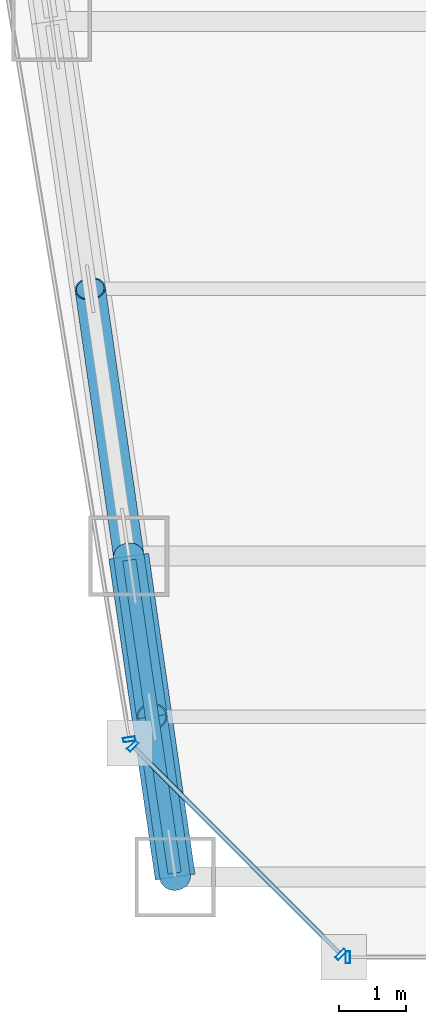
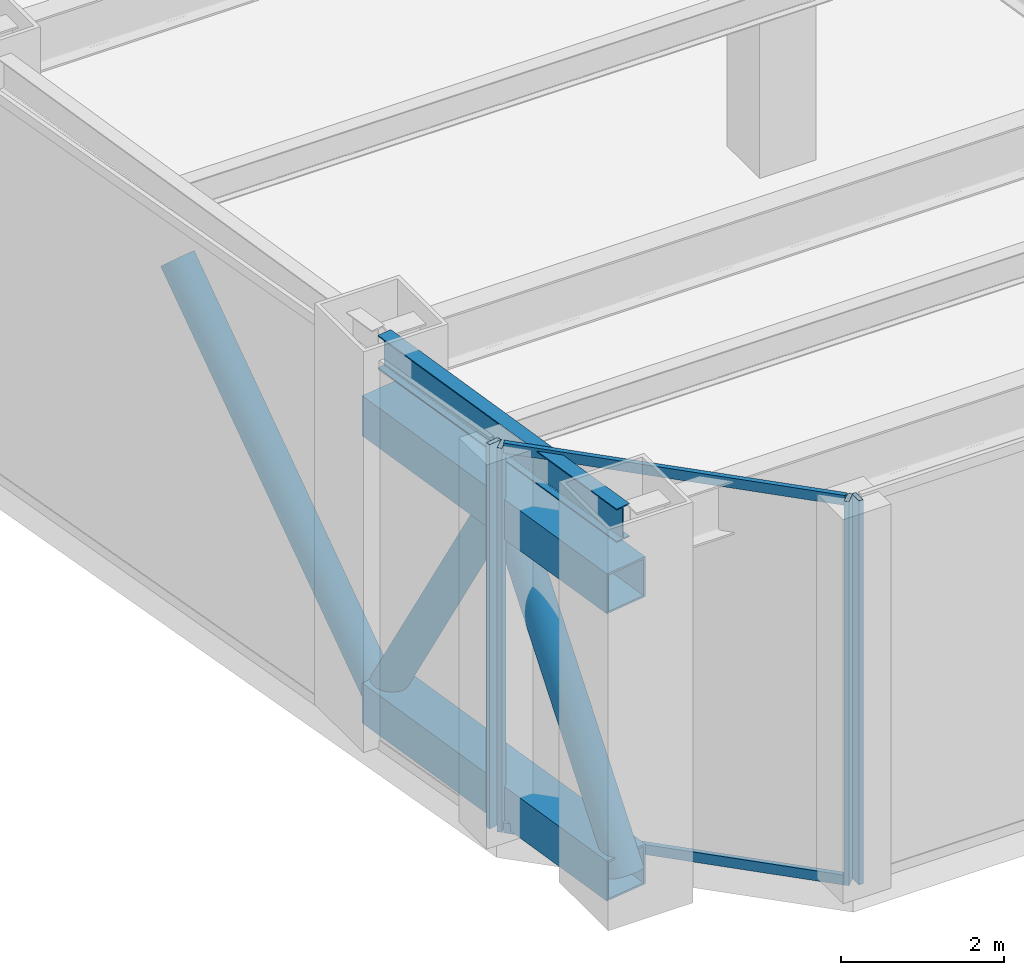
# One storey, part 4 of 35: 11 members, 1 beam, 3 elements without a shape of their own.
"""IFC4 building model written with IfcOpenShell, lengths in metres."""

from ifc_helpers import new_model, si_unit, direction, frame, origin, origin_2d, place, context, subcontext, project, spatial, hollow_rectangle, hollow_circle, i_section, extrude, material, material_profile, profile_set, type_object, element, aggregate, save


model = new_model("IFC4")

# Units and contexts
model_context = context("Model", 3, precision=1e-05, world=origin(), true_north=direction((0.0, 1.0)))
body_context = subcontext(model_context, "Body", "Model", "MODEL_VIEW")
ifc_project = project(units=[si_unit("LENGTHUNIT", "METRE"), si_unit("AREAUNIT", "SQUARE_METRE"), si_unit("VOLUMEUNIT", "CUBIC_METRE"), si_unit("PLANEANGLEUNIT", "RADIAN"), si_unit("MASSUNIT", "GRAM", prefix="KILO")], contexts=[model_context])

# Site, building, storey
site_placement = place(None, origin())
site = spatial("IfcSite", under=ifc_project, at=site_placement, CompositionType="ELEMENT")
building_placement = place(site_placement, origin())
building = spatial("IfcBuilding", under=site, at=building_placement, Name="Saevonmaru Cultural Tower", CompositionType="ELEMENT")
storey_placement = place(building_placement, frame((0.0, 0.0, 86.800048828125)))
storey = spatial("IfcBuildingStorey", under=building, at=storey_placement, Name="L18", CompositionType="ELEMENT", Elevation=86.800048828125)

# Beam
ifc_material_1 = material(Name="Steel SM355", Category="steel")
ifc_material_profile_1 = material_profile(ifc_material_1, i_section(OverallWidth=0.199951171875, OverallDepth=0.5, WebThickness=0.010009765625, FlangeThickness=0.01611328125, FilletRadius=0.02001953125, at=origin_2d()), Name="H-500x200x10x16")
ifc_profile_set_1 = profile_set([ifc_material_profile_1], Name="Steel SM355")
beam_type = type_object("IfcBeamType", Name="BM-SP-H500", PredefinedType="SPANDREL", material=ifc_profile_set_1)
beam_placement = place(storey_placement, frame((12.468505859375, 3.259521484375, 5.5), z_axis=(-0.14313379491, 0.989703347855, 0.0), x_axis=(-0.989703347855, -0.14313379491, 0.0)))
element("IfcBeam", 1, at=beam_placement, inside=storey, type_object=beam_type, Name="L18 West Splayed Spandrel 1", PredefinedType="SPANDREL", context=body_context, shape_type="SweptSolid", body=[
    extrude(i_section(OverallWidth=0.199951171875, OverallDepth=0.5, WebThickness=0.010009765625, FlangeThickness=0.01611328125, FilletRadius=0.02001953125, at=origin_2d()), origin(), (0.0, 0.0, 1.0), 4.729736328125),
])

# Members
ifc_material_2 = material(Name="Steel SM420", Category="steel")
ifc_material_profile_2 = material_profile(ifc_material_2, hollow_circle(Radius=0.228515625, WallThickness=0.02001953125, at=origin_2d()), Name="CHS-457.2x20")
ifc_profile_set_2 = profile_set([ifc_material_profile_2], Name="Steel SM420")
member_type_1 = type_object("IfcMemberType", Name="MB-BBR-CHS457", PredefinedType="BRACE", material=ifc_profile_set_2)
for number, where, z_axis, x_axis, name in (
    (2, (12.47705078125, 3.199951171875, 0.300048828125), (-0.070325997619, 0.486198932905, 0.871013692028), (-0.989700324196, -0.14315470054, 0.0), "L18 Belt Truss Diagonal BW1-1"),
    (3, (11.782958984375, 8.0, 0.300048828125), (0.070278476077, -0.486162857025, 0.871037664082), (0.989712522053, 0.143070345253, 0.0), "L18 Belt Truss Diagonal BW1-2"),
):
    element("IfcMember", number, at=place(storey_placement, frame(where, z_axis=z_axis, x_axis=x_axis)), inside=storey, type_object=member_type_1, Name=name, PredefinedType="BRACE", context=body_context, shape_type="SweptSolid", body=[
        extrude(hollow_circle(Radius=0.228515625, WallThickness=0.02001953125, at=origin_2d()), origin(), (0.0, 0.0, 1.0), 4.9365234375),
    ])
member_1_placement = place(storey_placement, frame((11.782958984375, 8.0, 0.300048828125), z_axis=(-0.097764748588, 0.677857655887, 0.72866388156), x_axis=(-0.989758915483, -0.142749042803, 0.0)))
element("IfcMember", 4, at=member_1_placement, inside=storey, type_object=member_type_1, Name="L18 Belt Truss Diagonal BW2-1", PredefinedType="BRACE", context=body_context, shape_type="SweptSolid", body=[
    extrude(hollow_circle(Radius=0.228515625, WallThickness=0.02001953125, at=origin_2d()), origin(), (0.0, 0.0, 1.0), 5.90087890625),
])
ifc_material_profile_3 = material_profile(ifc_material_2, hollow_rectangle(XDim=0.60009765625, YDim=0.60009765625, WallThickness=0.028076171875, at=origin_2d()), Name="BOX-600x600x28")
ifc_profile_set_3 = profile_set([ifc_material_profile_3], Name="Steel SM420")
member_type_2 = type_object("IfcMemberType", Name="MB-BCH-BOX600", PredefinedType="CHORD", material=ifc_profile_set_3)
for number, where, z_axis, x_axis, name in (
    (5, (12.47705078125, 3.199951171875, 0.300048828125), (-0.143112525432, 0.989706423676, 0.0), (-0.989706423676, -0.143112525432, 0.0), "L18 Belt Truss Bottom Chord BW1"),
    (6, (12.47705078125, 3.199951171875, 4.599853515625), (-0.143112525432, 0.989706423676, 0.0), (-0.989706423676, -0.143112525432, 0.0), "L18 Belt Truss Top Chord BW1"),
):
    element("IfcMember", number, at=place(storey_placement, frame(where, z_axis=z_axis, x_axis=x_axis)), inside=storey, type_object=member_type_2, Name=name, PredefinedType="CHORD", context=body_context, shape_type="SweptSolid", body=[
        extrude(hollow_rectangle(XDim=0.60009765625, YDim=0.60009765625, WallThickness=0.028076171875, at=origin_2d()), origin(), (0.0, 0.0, 1.0), 4.849853515625),
    ])

# Curtain wall, members
ifc_material_3 = material(Name="Satin Bronze Anodised Aluminium", Category="aluminium")
curtain_wall_type = type_object("IfcCurtainWallType", Name="CW-TYP-A", PredefinedType="NOTDEFINED", material=ifc_material_3)
curtain_wall_1_placement = place(storey_placement, origin())
curtain_wall_1 = element("IfcCurtainWall", 7, at=curtain_wall_1_placement, inside=storey, type_object=curtain_wall_type, Name="L18 Wind-Floor Acoustic Louvre Screen E1", PredefinedType="NOTDEFINED")
ifc_material_profile_4 = material_profile(ifc_material_3, hollow_rectangle(XDim=0.06494140625, YDim=0.179931640625, WallThickness=0.00390625, at=origin_2d()), Name="ALU-MULL-180x65x4")
ifc_profile_set_4 = profile_set([ifc_material_profile_4], Name="Satin Bronze Anodised Aluminium")
member_type_3 = type_object("IfcMemberType", Name="ML-CW-180x65", PredefinedType="MULLION", material=ifc_profile_set_4)
member_2_placement = place(storey_placement, frame((11.84228515625, 5.15771484375, 0.0), z_axis=(0.0, 0.0, 1.0), x_axis=(0.707106781187, -0.707106781187, 0.0)))
member_2 = element("IfcMember", 8, at=member_2_placement, type_object=member_type_3, Name="CW-TW-L18-E1 mullion 1", PredefinedType="MULLION", context=body_context, shape_type="SweptSolid", body=[
    extrude(hollow_rectangle(XDim=0.06494140625, YDim=0.179931640625, WallThickness=0.00390625, at=origin_2d()), origin(), (0.0, 0.0, 1.0), 5.75),
])
member_3_placement = place(storey_placement, frame((14.95751953125, 2.04248046875, 0.0), z_axis=(0.0, 0.0, 1.0), x_axis=(0.707106781187, -0.707106781187, 0.0)))
member_3 = element("IfcMember", 9, at=member_3_placement, type_object=member_type_3, Name="CW-TW-L18-E1 mullion 2", PredefinedType="MULLION", context=body_context, shape_type="SweptSolid", body=[
    extrude(hollow_rectangle(XDim=0.06494140625, YDim=0.179931640625, WallThickness=0.00390625, at=origin_2d()), origin(), (0.0, 0.0, 1.0), 5.75),
])

# Curtain wall, member
curtain_wall_2_placement = place(storey_placement, origin())
curtain_wall_2 = element("IfcCurtainWall", 10, at=curtain_wall_2_placement, inside=storey, type_object=curtain_wall_type, Name="L18 Wind-Floor Acoustic Louvre Screen E2", PredefinedType="NOTDEFINED")
member_4_placement = place(storey_placement, frame((15.06005859375, 2.0, 0.0), z_axis=(0.0, 0.0, 1.0), x_axis=(1.0, 0.0, 0.0)))
member_4 = element("IfcMember", 11, at=member_4_placement, type_object=member_type_3, Name="CW-TW-L18-E2 mullion 1", PredefinedType="MULLION", context=body_context, shape_type="SweptSolid", body=[
    extrude(hollow_rectangle(XDim=0.06494140625, YDim=0.179931640625, WallThickness=0.00390625, at=origin_2d()), origin(), (0.0, 0.0, 1.0), 5.75),
])
aggregate(curtain_wall_2, [member_4])

curtain_wall_3_placement = place(storey_placement, origin())
curtain_wall_3 = element("IfcCurtainWall", 12, at=curtain_wall_3_placement, inside=storey, type_object=curtain_wall_type, Name="L18 Wind-Floor Acoustic Louvre Screen E12", PredefinedType="NOTDEFINED")
member_5_placement = place(storey_placement, frame((11.790283203125, 5.25927734375, 0.0), z_axis=(0.0, 0.0, 1.0), x_axis=(0.161708868641, -0.986838508472, 0.0)))
member_5 = element("IfcMember", 13, at=member_5_placement, type_object=member_type_3, Name="CW-TW-L18-E12 mullion 5", PredefinedType="MULLION", context=body_context, shape_type="SweptSolid", body=[
    extrude(hollow_rectangle(XDim=0.06494140625, YDim=0.179931640625, WallThickness=0.00390625, at=origin_2d()), origin(), (0.0, 0.0, 1.0), 5.75),
])
aggregate(curtain_wall_3, [member_5])

# Member
ifc_material_profile_5 = material_profile(ifc_material_3, hollow_rectangle(XDim=0.06494140625, YDim=0.14990234375, WallThickness=0.00390625, at=origin_2d()), Name="ALU-TRAN-150x65x4")
ifc_profile_set_5 = profile_set([ifc_material_profile_5], Name="Satin Bronze Anodised Aluminium")
member_type_4 = type_object("IfcMemberType", Name="TR-CW-150x65", PredefinedType="USERDEFINED", material=ifc_profile_set_5)
member_6_placement = place(storey_placement, frame((11.865478515625, 5.134521484375, 0.032470703125), z_axis=(0.707106781187, -0.707106781187, 0.0), x_axis=(0.707106781187, 0.707106781187, 0.0)))
member_6 = element("IfcMember", 14, at=member_6_placement, type_object=member_type_4, Name="CW-TW-L18-E1 transom 1.1", ObjectType="TRANSOM", PredefinedType="USERDEFINED", context=body_context, shape_type="SweptSolid", body=[
    extrude(hollow_rectangle(XDim=0.06494140625, YDim=0.14990234375, WallThickness=0.00390625, at=origin_2d()), origin(), (0.0, 0.0, 1.0), 4.34033203125),
])

member_7_placement = place(storey_placement, frame((11.865478515625, 5.134521484375, 5.717529296875), z_axis=(0.707106781187, -0.707106781187, 0.0), x_axis=(0.707106781187, 0.707106781187, 0.0)))
member_7 = element("IfcMember", 15, at=member_7_placement, type_object=member_type_4, Name="CW-TW-L18-E1 transom 1.2", ObjectType="TRANSOM", PredefinedType="USERDEFINED", context=body_context, shape_type="SweptSolid", body=[
    extrude(hollow_rectangle(XDim=0.06494140625, YDim=0.14990234375, WallThickness=0.00390625, at=origin_2d()), origin(), (0.0, 0.0, 1.0), 4.34033203125),
])

aggregate(curtain_wall_1, [member_2, member_3, member_6, member_7])

save(model, "model.ifc")
